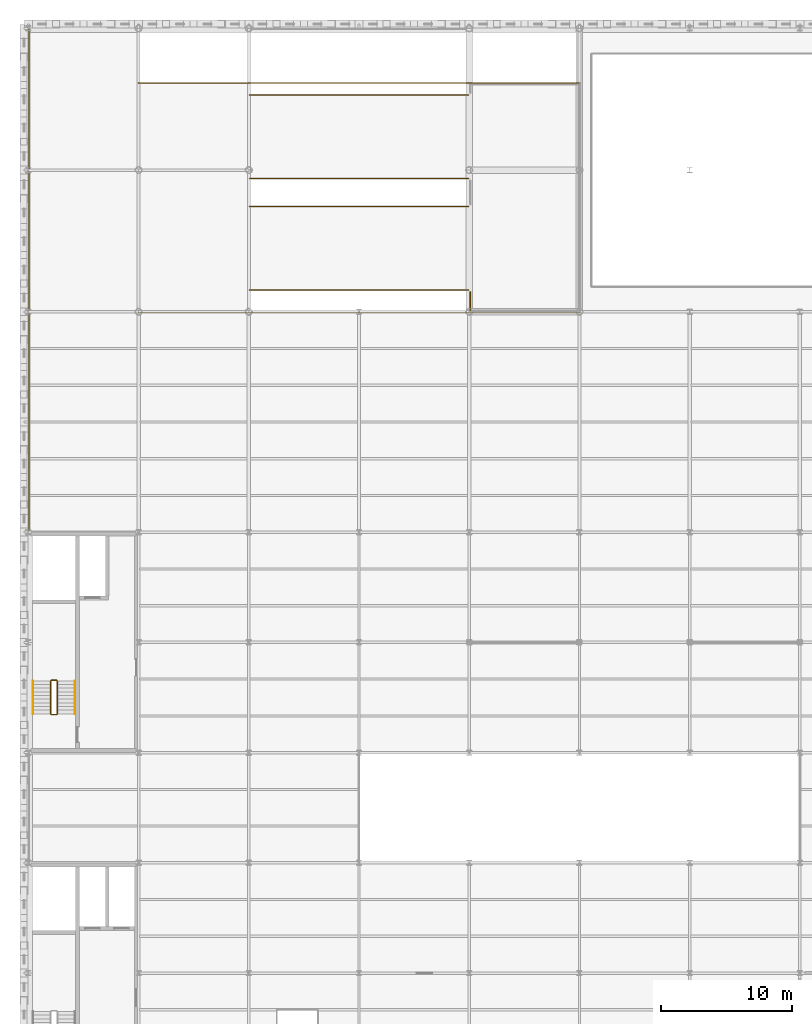
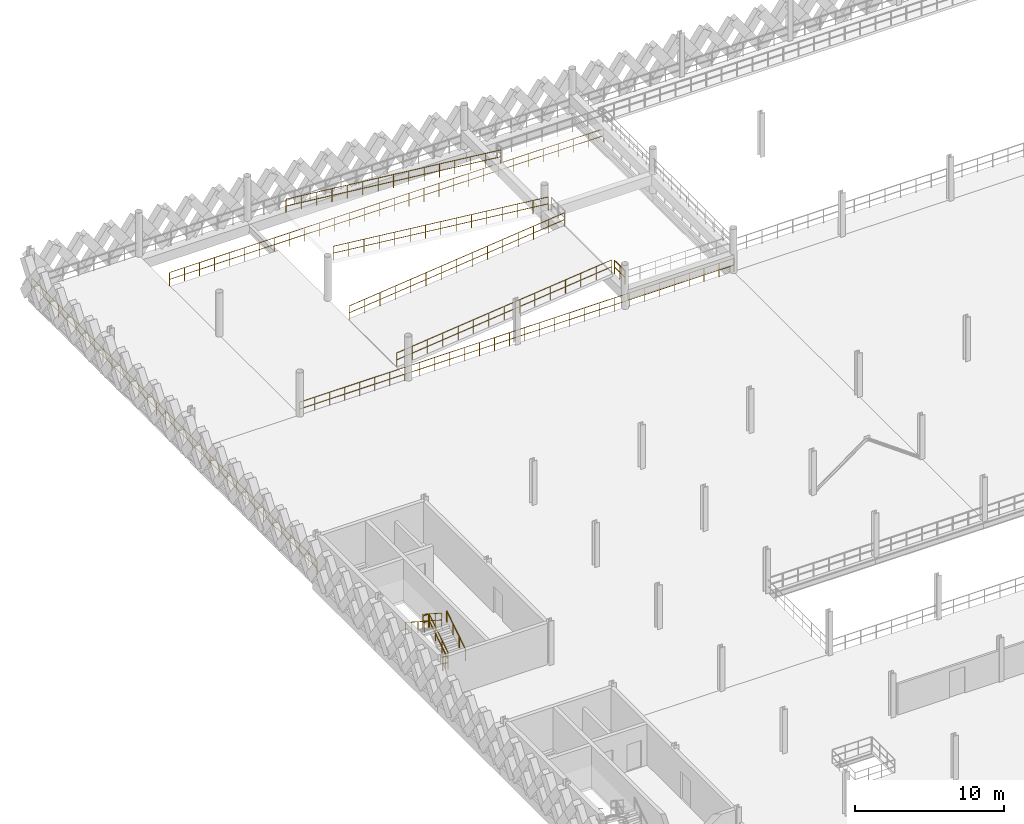
# One storey, part 58 of 62: 14 railings.
"""IFC4 building model written with IfcOpenShell, lengths in metres."""

from ifc_helpers import new_model, si_unit, direction, frame, origin, origin_2d, place, context, subcontext, project, spatial, circle, extrude, material, type_object, element, save


model = new_model("IFC4")

# Units and contexts
model_context = context("Model", 3, precision=1e-05, world=origin(), true_north=direction((0.0, 1.0)))
body_context = subcontext(model_context, "Body", "Model", "MODEL_VIEW")
ifc_project = project(units=[si_unit("LENGTHUNIT", "METRE"), si_unit("AREAUNIT", "SQUARE_METRE"), si_unit("VOLUMEUNIT", "CUBIC_METRE"), si_unit("PLANEANGLEUNIT", "RADIAN"), si_unit("MASSUNIT", "GRAM", prefix="KILO"), si_unit("THERMODYNAMICTEMPERATUREUNIT", "KELVIN"), si_unit("POWERUNIT", "WATT")], contexts=[model_context])

# Site, building, storey
site_placement = place(None, origin())
site = spatial("IfcSite", under=ifc_project, at=site_placement, CompositionType="ELEMENT")
building_placement = place(site_placement, origin())
building = spatial("IfcBuilding", under=site, at=building_placement, Name="Tembeka Court Mobility Hub", CompositionType="ELEMENT")
storey_placement = place(building_placement, frame((0.0, 0.0, 16.199951171875)))
storey = spatial("IfcBuildingStorey", under=building, at=storey_placement, Name="L04", CompositionType="ELEMENT", Elevation=16.199951171875)

# Railings
ifc_material_1 = material(Name="Painted galvanised steel balustrade", Category="steel")
railing_type_1 = type_object("IfcRailingType", Name="RL-GR01", PredefinedType="GUARDRAIL", material=ifc_material_1)
railing_1_placement = place(storey_placement, frame((2.199951171875, 66.550048828125, 0.179931640625)))
element("IfcRailing", 1, at=railing_1_placement, inside=storey, type_object=railing_type_1, Name="L04 ST03 stair guard 1-1", PredefinedType="GUARDRAIL", context=body_context, shape_type="SweptSolid", body=[
    extrude(circle(Radius=0.02392578125, at=origin_2d()), frame((0.0, 0.0, 1.09619140625), z_axis=(0.0, 0.841162588446, 0.540782303519), x_axis=(-1.0, 0.0, 0.0)), (0.0, 0.0, 1.0), 2.995849609375),
    extrude(circle(Radius=0.02392578125, at=origin_2d()), frame((0.0, 0.0, 0.5361328125), z_axis=(0.0, 0.841162588446, 0.540782303519), x_axis=(-1.0, 0.0, 0.0)), (0.0, 0.0, 1.0), 2.995849609375),
    extrude(circle(Radius=0.02099609375, at=origin_2d()), origin(), (0.0, 0.0, 1.0), 1.072021484375),
    extrude(circle(Radius=0.02099609375, at=origin_2d()), frame((0.0, 0.840087890625, 0.5400390625)), (0.0, 0.0, 1.0), 1.072021484375),
    extrude(circle(Radius=0.02099609375, at=origin_2d()), frame((0.0, 1.679931640625, 1.080078125)), (0.0, 0.0, 1.0), 1.072021484375),
    extrude(circle(Radius=0.02099609375, at=origin_2d()), frame((0.0, 2.52001953125, 1.6201171875)), (0.0, 0.0, 1.0), 1.072021484375),
])
railing_2_placement = place(storey_placement, frame((2.14990234375, 69.1201171875, 1.800048828125)))
element("IfcRailing", 2, at=railing_2_placement, inside=storey, type_object=railing_type_1, Name="L04 ST03 stair guard 2-1", PredefinedType="GUARDRAIL", context=body_context, shape_type="SweptSolid", body=[
    extrude(circle(Radius=0.02392578125, at=origin_2d()), frame((0.0, 0.0, 1.09619140625), z_axis=(-1.0, 0.0, 0.0), x_axis=(0.0, -1.0, 0.0)), (0.0, 0.0, 1.0), 0.39990234375),
    extrude(circle(Radius=0.02392578125, at=origin_2d()), frame((0.0, 0.0, 0.5361328125), z_axis=(-1.0, 0.0, 0.0), x_axis=(0.0, -1.0, 0.0)), (0.0, 0.0, 1.0), 0.39990234375),
    extrude(circle(Radius=0.02099609375, at=origin_2d()), origin(), (0.0, 0.0, 1.0), 1.072021484375),
    extrude(circle(Radius=0.02099609375, at=origin_2d()), frame((-0.39990234375, 0.0, 0.0)), (0.0, 0.0, 1.0), 1.072021484375),
])
railing_3_placement = place(storey_placement, frame((1.699951171875, 69.070068359375, 1.97998046875)))
element("IfcRailing", 3, at=railing_3_placement, inside=storey, type_object=railing_type_1, Name="L04 ST03 stair guard 3-1", PredefinedType="GUARDRAIL", context=body_context, shape_type="SweptSolid", body=[
    extrude(circle(Radius=0.02392578125, at=origin_2d()), frame((0.0, 0.0, 1.09619140625), z_axis=(0.0, -0.841162588446, 0.540782303519), x_axis=(1.0, 0.0, 0.0)), (0.0, 0.0, 1.0), 2.995849609375),
    extrude(circle(Radius=0.02392578125, at=origin_2d()), frame((0.0, 0.0, 0.5361328125), z_axis=(0.0, -0.841162588446, 0.540782303519), x_axis=(1.0, 0.0, 0.0)), (0.0, 0.0, 1.0), 2.995849609375),
    extrude(circle(Radius=0.02099609375, at=origin_2d()), origin(), (0.0, 0.0, 1.0), 1.072021484375),
    extrude(circle(Radius=0.02099609375, at=origin_2d()), frame((0.0, -0.840087890625, 0.5400390625)), (0.0, 0.0, 1.0), 1.072021484375),
    extrude(circle(Radius=0.02099609375, at=origin_2d()), frame((0.0, -1.679931640625, 1.080078125)), (0.0, 0.0, 1.0), 1.072021484375),
    extrude(circle(Radius=0.02099609375, at=origin_2d()), frame((0.0, -2.52001953125, 1.6201171875)), (0.0, 0.0, 1.0), 1.072021484375),
])
railing_4_placement = place(storey_placement, frame((2.14990234375, 66.5, 0.0)))
element("IfcRailing", 4, at=railing_4_placement, inside=storey, type_object=railing_type_1, Name="L04 ST03 stair guard 4-1", PredefinedType="GUARDRAIL", context=body_context, shape_type="SweptSolid", body=[
    extrude(circle(Radius=0.02392578125, at=origin_2d()), frame((0.0, 0.0, 1.09619140625), z_axis=(-1.0, 0.0, 0.0), x_axis=(0.0, -1.0, 0.0)), (0.0, 0.0, 1.0), 0.39990234375),
    extrude(circle(Radius=0.02392578125, at=origin_2d()), frame((0.0, 0.0, 0.5361328125), z_axis=(-1.0, 0.0, 0.0), x_axis=(0.0, -1.0, 0.0)), (0.0, 0.0, 1.0), 0.39990234375),
    extrude(circle(Radius=0.02099609375, at=origin_2d()), origin(), (0.0, 0.0, 1.0), 1.072021484375),
    extrude(circle(Radius=0.02099609375, at=origin_2d()), frame((-0.39990234375, 0.0, 0.0)), (0.0, 0.0, 1.0), 1.072021484375),
])
railing_type_2 = type_object("IfcRailingType", Name="RL-GR02", PredefinedType="GUARDRAIL", material=ifc_material_1)
railing_5_placement = place(storey_placement, frame((0.050048828125, 80.429931640625, 0.0)))
element("IfcRailing", 5, at=railing_5_placement, inside=storey, type_object=railing_type_2, Name="Perimeter guard GR02-0151", PredefinedType="GUARDRAIL", context=body_context, shape_type="SweptSolid", body=[
    extrude(circle(Radius=0.02392578125, at=origin_2d()), frame((0.0, 0.0, 1.09619140625), z_axis=(0.0, 1.0, 0.0), x_axis=(-1.0, 0.0, 0.0)), (0.0, 0.0, 1.0), 38.2900390625),
    extrude(circle(Radius=0.02392578125, at=origin_2d()), frame((0.0, 0.0, 0.5361328125), z_axis=(0.0, 1.0, 0.0), x_axis=(-1.0, 0.0, 0.0)), (0.0, 0.0, 1.0), 38.2900390625),
    extrude(circle(Radius=0.02099609375, at=origin_2d()), origin(), (0.0, 0.0, 1.0), 1.072021484375),
    extrude(circle(Radius=0.02099609375, at=origin_2d()), frame((0.0, 1.196533203125, 0.0)), (0.0, 0.0, 1.0), 1.072021484375),
    extrude(circle(Radius=0.02099609375, at=origin_2d()), frame((0.0, 2.39306640625, 0.0)), (0.0, 0.0, 1.0), 1.072021484375),
    extrude(circle(Radius=0.02099609375, at=origin_2d()), frame((0.0, 3.589599609375, 0.0)), (0.0, 0.0, 1.0), 1.072021484375),
    extrude(circle(Radius=0.02099609375, at=origin_2d()), frame((0.0, 4.7861328125, 0.0)), (0.0, 0.0, 1.0), 1.072021484375),
    extrude(circle(Radius=0.02099609375, at=origin_2d()), frame((0.0, 5.98291015625, 0.0)), (0.0, 0.0, 1.0), 1.072021484375),
    extrude(circle(Radius=0.02099609375, at=origin_2d()), frame((0.0, 7.179443359375, 0.0)), (0.0, 0.0, 1.0), 1.072021484375),
    extrude(circle(Radius=0.02099609375, at=origin_2d()), frame((0.0, 8.3759765625, 0.0)), (0.0, 0.0, 1.0), 1.072021484375),
    extrude(circle(Radius=0.02099609375, at=origin_2d()), frame((0.0, 9.572509765625, 0.0)), (0.0, 0.0, 1.0), 1.072021484375),
    extrude(circle(Radius=0.02099609375, at=origin_2d()), frame((0.0, 10.76904296875, 0.0)), (0.0, 0.0, 1.0), 1.072021484375),
    extrude(circle(Radius=0.02099609375, at=origin_2d()), frame((0.0, 11.965576171875, 0.0)), (0.0, 0.0, 1.0), 1.072021484375),
    extrude(circle(Radius=0.02099609375, at=origin_2d()), frame((0.0, 13.162109375, 0.0)), (0.0, 0.0, 1.0), 1.072021484375),
    extrude(circle(Radius=0.02099609375, at=origin_2d()), frame((0.0, 14.35888671875, 0.0)), (0.0, 0.0, 1.0), 1.072021484375),
    extrude(circle(Radius=0.02099609375, at=origin_2d()), frame((0.0, 15.555419921875, 0.0)), (0.0, 0.0, 1.0), 1.072021484375),
    extrude(circle(Radius=0.02099609375, at=origin_2d()), frame((0.0, 16.751953125, 0.0)), (0.0, 0.0, 1.0), 1.072021484375),
    extrude(circle(Radius=0.02099609375, at=origin_2d()), frame((0.0, 17.948486328125, 0.0)), (0.0, 0.0, 1.0), 1.072021484375),
    extrude(circle(Radius=0.02099609375, at=origin_2d()), frame((0.0, 19.14501953125, 0.0)), (0.0, 0.0, 1.0), 1.072021484375),
    extrude(circle(Radius=0.02099609375, at=origin_2d()), frame((0.0, 20.341552734375, 0.0)), (0.0, 0.0, 1.0), 1.072021484375),
    extrude(circle(Radius=0.02099609375, at=origin_2d()), frame((0.0, 21.5380859375, 0.0)), (0.0, 0.0, 1.0), 1.072021484375),
    extrude(circle(Radius=0.02099609375, at=origin_2d()), frame((0.0, 22.734619140625, 0.0)), (0.0, 0.0, 1.0), 1.072021484375),
    extrude(circle(Radius=0.02099609375, at=origin_2d()), frame((0.0, 23.93115234375, 0.0)), (0.0, 0.0, 1.0), 1.072021484375),
    extrude(circle(Radius=0.02099609375, at=origin_2d()), frame((0.0, 25.1279296875, 0.0)), (0.0, 0.0, 1.0), 1.072021484375),
    extrude(circle(Radius=0.02099609375, at=origin_2d()), frame((0.0, 26.324462890625, 0.0)), (0.0, 0.0, 1.0), 1.072021484375),
    extrude(circle(Radius=0.02099609375, at=origin_2d()), frame((0.0, 27.52099609375, 0.0)), (0.0, 0.0, 1.0), 1.072021484375),
    extrude(circle(Radius=0.02099609375, at=origin_2d()), frame((0.0, 28.717529296875, 0.0)), (0.0, 0.0, 1.0), 1.072021484375),
    extrude(circle(Radius=0.02099609375, at=origin_2d()), frame((0.0, 29.9140625, 0.0)), (0.0, 0.0, 1.0), 1.072021484375),
    extrude(circle(Radius=0.02099609375, at=origin_2d()), frame((0.0, 31.110595703125, 0.0)), (0.0, 0.0, 1.0), 1.072021484375),
    extrude(circle(Radius=0.02099609375, at=origin_2d()), frame((0.0, 32.30712890625, 0.0)), (0.0, 0.0, 1.0), 1.072021484375),
    extrude(circle(Radius=0.02099609375, at=origin_2d()), frame((0.0, 33.50390625, 0.0)), (0.0, 0.0, 1.0), 1.072021484375),
    extrude(circle(Radius=0.02099609375, at=origin_2d()), frame((0.0, 34.700439453125, 0.0)), (0.0, 0.0, 1.0), 1.072021484375),
    extrude(circle(Radius=0.02099609375, at=origin_2d()), frame((0.0, 35.89697265625, 0.0)), (0.0, 0.0, 1.0), 1.072021484375),
    extrude(circle(Radius=0.02099609375, at=origin_2d()), frame((0.0, 37.093505859375, 0.0)), (0.0, 0.0, 1.0), 1.072021484375),
    extrude(circle(Radius=0.02099609375, at=origin_2d()), frame((0.0, 38.2900390625, 0.0)), (0.0, 0.0, 1.0), 1.072021484375),
])
railing_6_placement = place(storey_placement, frame((8.3798828125, 97.14990234375, 0.0)))
element("IfcRailing", 6, at=railing_6_placement, inside=storey, type_object=railing_type_2, Name="Perimeter guard GR02-0196", PredefinedType="GUARDRAIL", context=body_context, shape_type="SweptSolid", body=[
    extrude(circle(Radius=0.02392578125, at=origin_2d()), frame((0.0, 0.0, 1.09619140625), z_axis=(1.0, 0.0, 0.0), x_axis=(0.0, 1.0, 0.0)), (0.0, 0.0, 1.0), 33.64013671875),
    extrude(circle(Radius=0.02392578125, at=origin_2d()), frame((0.0, 0.0, 0.5361328125), z_axis=(1.0, 0.0, 0.0), x_axis=(0.0, 1.0, 0.0)), (0.0, 0.0, 1.0), 33.64013671875),
    extrude(circle(Radius=0.02099609375, at=origin_2d()), origin(), (0.0, 0.0, 1.0), 1.072021484375),
    extrude(circle(Radius=0.02099609375, at=origin_2d()), frame((1.159912109375, 0.0, 0.0)), (0.0, 0.0, 1.0), 1.072021484375),
    extrude(circle(Radius=0.02099609375, at=origin_2d()), frame((2.320068359375, 0.0, 0.0)), (0.0, 0.0, 1.0), 1.072021484375),
    extrude(circle(Radius=0.02099609375, at=origin_2d()), frame((3.47998046875, 0.0, 0.0)), (0.0, 0.0, 1.0), 1.072021484375),
    extrude(circle(Radius=0.02099609375, at=origin_2d()), frame((4.64013671875, 0.0, 0.0)), (0.0, 0.0, 1.0), 1.072021484375),
    extrude(circle(Radius=0.02099609375, at=origin_2d()), frame((5.800048828125, 0.0, 0.0)), (0.0, 0.0, 1.0), 1.072021484375),
    extrude(circle(Radius=0.02099609375, at=origin_2d()), frame((6.9599609375, 0.0, 0.0)), (0.0, 0.0, 1.0), 1.072021484375),
    extrude(circle(Radius=0.02099609375, at=origin_2d()), frame((8.1201171875, 0.0, 0.0)), (0.0, 0.0, 1.0), 1.072021484375),
    extrude(circle(Radius=0.02099609375, at=origin_2d()), frame((9.280029296875, 0.0, 0.0)), (0.0, 0.0, 1.0), 1.072021484375),
    extrude(circle(Radius=0.02099609375, at=origin_2d()), frame((10.43994140625, 0.0, 0.0)), (0.0, 0.0, 1.0), 1.072021484375),
    extrude(circle(Radius=0.02099609375, at=origin_2d()), frame((11.60009765625, 0.0, 0.0)), (0.0, 0.0, 1.0), 1.072021484375),
    extrude(circle(Radius=0.02099609375, at=origin_2d()), frame((12.760009765625, 0.0, 0.0)), (0.0, 0.0, 1.0), 1.072021484375),
    extrude(circle(Radius=0.02099609375, at=origin_2d()), frame((13.920166015625, 0.0, 0.0)), (0.0, 0.0, 1.0), 1.072021484375),
    extrude(circle(Radius=0.02099609375, at=origin_2d()), frame((15.080078125, 0.0, 0.0)), (0.0, 0.0, 1.0), 1.072021484375),
    extrude(circle(Radius=0.02099609375, at=origin_2d()), frame((16.239990234375, 0.0, 0.0)), (0.0, 0.0, 1.0), 1.072021484375),
    extrude(circle(Radius=0.02099609375, at=origin_2d()), frame((17.400146484375, 0.0, 0.0)), (0.0, 0.0, 1.0), 1.072021484375),
    extrude(circle(Radius=0.02099609375, at=origin_2d()), frame((18.56005859375, 0.0, 0.0)), (0.0, 0.0, 1.0), 1.072021484375),
    extrude(circle(Radius=0.02099609375, at=origin_2d()), frame((19.719970703125, 0.0, 0.0)), (0.0, 0.0, 1.0), 1.072021484375),
    extrude(circle(Radius=0.02099609375, at=origin_2d()), frame((20.880126953125, 0.0, 0.0)), (0.0, 0.0, 1.0), 1.072021484375),
    extrude(circle(Radius=0.02099609375, at=origin_2d()), frame((22.0400390625, 0.0, 0.0)), (0.0, 0.0, 1.0), 1.072021484375),
    extrude(circle(Radius=0.02099609375, at=origin_2d()), frame((23.2001953125, 0.0, 0.0)), (0.0, 0.0, 1.0), 1.072021484375),
    extrude(circle(Radius=0.02099609375, at=origin_2d()), frame((24.360107421875, 0.0, 0.0)), (0.0, 0.0, 1.0), 1.072021484375),
    extrude(circle(Radius=0.02099609375, at=origin_2d()), frame((25.52001953125, 0.0, 0.0)), (0.0, 0.0, 1.0), 1.072021484375),
    extrude(circle(Radius=0.02099609375, at=origin_2d()), frame((26.68017578125, 0.0, 0.0)), (0.0, 0.0, 1.0), 1.072021484375),
    extrude(circle(Radius=0.02099609375, at=origin_2d()), frame((27.840087890625, 0.0, 0.0)), (0.0, 0.0, 1.0), 1.072021484375),
    extrude(circle(Radius=0.02099609375, at=origin_2d()), frame((29.0, 0.0, 0.0)), (0.0, 0.0, 1.0), 1.072021484375),
    extrude(circle(Radius=0.02099609375, at=origin_2d()), frame((30.16015625, 0.0, 0.0)), (0.0, 0.0, 1.0), 1.072021484375),
    extrude(circle(Radius=0.02099609375, at=origin_2d()), frame((31.320068359375, 0.0, 0.0)), (0.0, 0.0, 1.0), 1.072021484375),
    extrude(circle(Radius=0.02099609375, at=origin_2d()), frame((32.480224609375, 0.0, 0.0)), (0.0, 0.0, 1.0), 1.072021484375),
    extrude(circle(Radius=0.02099609375, at=origin_2d()), frame((33.64013671875, 0.0, 0.0)), (0.0, 0.0, 1.0), 1.072021484375),
])
railing_7_placement = place(storey_placement, frame((8.3798828125, 114.64990234375, 0.0)))
element("IfcRailing", 7, at=railing_7_placement, inside=storey, type_object=railing_type_2, Name="Perimeter guard GR02-0197", PredefinedType="GUARDRAIL", context=body_context, shape_type="SweptSolid", body=[
    extrude(circle(Radius=0.02392578125, at=origin_2d()), frame((0.0, 0.0, 1.09619140625), z_axis=(1.0, 0.0, 0.0), x_axis=(0.0, 1.0, 0.0)), (0.0, 0.0, 1.0), 33.64013671875),
    extrude(circle(Radius=0.02392578125, at=origin_2d()), frame((0.0, 0.0, 0.5361328125), z_axis=(1.0, 0.0, 0.0), x_axis=(0.0, 1.0, 0.0)), (0.0, 0.0, 1.0), 33.64013671875),
    extrude(circle(Radius=0.02099609375, at=origin_2d()), origin(), (0.0, 0.0, 1.0), 1.072021484375),
    extrude(circle(Radius=0.02099609375, at=origin_2d()), frame((1.159912109375, 0.0, 0.0)), (0.0, 0.0, 1.0), 1.072021484375),
    extrude(circle(Radius=0.02099609375, at=origin_2d()), frame((2.320068359375, 0.0, 0.0)), (0.0, 0.0, 1.0), 1.072021484375),
    extrude(circle(Radius=0.02099609375, at=origin_2d()), frame((3.47998046875, 0.0, 0.0)), (0.0, 0.0, 1.0), 1.072021484375),
    extrude(circle(Radius=0.02099609375, at=origin_2d()), frame((4.64013671875, 0.0, 0.0)), (0.0, 0.0, 1.0), 1.072021484375),
    extrude(circle(Radius=0.02099609375, at=origin_2d()), frame((5.800048828125, 0.0, 0.0)), (0.0, 0.0, 1.0), 1.072021484375),
    extrude(circle(Radius=0.02099609375, at=origin_2d()), frame((6.9599609375, 0.0, 0.0)), (0.0, 0.0, 1.0), 1.072021484375),
    extrude(circle(Radius=0.02099609375, at=origin_2d()), frame((8.1201171875, 0.0, 0.0)), (0.0, 0.0, 1.0), 1.072021484375),
    extrude(circle(Radius=0.02099609375, at=origin_2d()), frame((9.280029296875, 0.0, 0.0)), (0.0, 0.0, 1.0), 1.072021484375),
    extrude(circle(Radius=0.02099609375, at=origin_2d()), frame((10.43994140625, 0.0, 0.0)), (0.0, 0.0, 1.0), 1.072021484375),
    extrude(circle(Radius=0.02099609375, at=origin_2d()), frame((11.60009765625, 0.0, 0.0)), (0.0, 0.0, 1.0), 1.072021484375),
    extrude(circle(Radius=0.02099609375, at=origin_2d()), frame((12.760009765625, 0.0, 0.0)), (0.0, 0.0, 1.0), 1.072021484375),
    extrude(circle(Radius=0.02099609375, at=origin_2d()), frame((13.920166015625, 0.0, 0.0)), (0.0, 0.0, 1.0), 1.072021484375),
    extrude(circle(Radius=0.02099609375, at=origin_2d()), frame((15.080078125, 0.0, 0.0)), (0.0, 0.0, 1.0), 1.072021484375),
    extrude(circle(Radius=0.02099609375, at=origin_2d()), frame((16.239990234375, 0.0, 0.0)), (0.0, 0.0, 1.0), 1.072021484375),
    extrude(circle(Radius=0.02099609375, at=origin_2d()), frame((17.400146484375, 0.0, 0.0)), (0.0, 0.0, 1.0), 1.072021484375),
    extrude(circle(Radius=0.02099609375, at=origin_2d()), frame((18.56005859375, 0.0, 0.0)), (0.0, 0.0, 1.0), 1.072021484375),
    extrude(circle(Radius=0.02099609375, at=origin_2d()), frame((19.719970703125, 0.0, 0.0)), (0.0, 0.0, 1.0), 1.072021484375),
    extrude(circle(Radius=0.02099609375, at=origin_2d()), frame((20.880126953125, 0.0, 0.0)), (0.0, 0.0, 1.0), 1.072021484375),
    extrude(circle(Radius=0.02099609375, at=origin_2d()), frame((22.0400390625, 0.0, 0.0)), (0.0, 0.0, 1.0), 1.072021484375),
    extrude(circle(Radius=0.02099609375, at=origin_2d()), frame((23.2001953125, 0.0, 0.0)), (0.0, 0.0, 1.0), 1.072021484375),
    extrude(circle(Radius=0.02099609375, at=origin_2d()), frame((24.360107421875, 0.0, 0.0)), (0.0, 0.0, 1.0), 1.072021484375),
    extrude(circle(Radius=0.02099609375, at=origin_2d()), frame((25.52001953125, 0.0, 0.0)), (0.0, 0.0, 1.0), 1.072021484375),
    extrude(circle(Radius=0.02099609375, at=origin_2d()), frame((26.68017578125, 0.0, 0.0)), (0.0, 0.0, 1.0), 1.072021484375),
    extrude(circle(Radius=0.02099609375, at=origin_2d()), frame((27.840087890625, 0.0, 0.0)), (0.0, 0.0, 1.0), 1.072021484375),
    extrude(circle(Radius=0.02099609375, at=origin_2d()), frame((29.0, 0.0, 0.0)), (0.0, 0.0, 1.0), 1.072021484375),
    extrude(circle(Radius=0.02099609375, at=origin_2d()), frame((30.16015625, 0.0, 0.0)), (0.0, 0.0, 1.0), 1.072021484375),
    extrude(circle(Radius=0.02099609375, at=origin_2d()), frame((31.320068359375, 0.0, 0.0)), (0.0, 0.0, 1.0), 1.072021484375),
    extrude(circle(Radius=0.02099609375, at=origin_2d()), frame((32.480224609375, 0.0, 0.0)), (0.0, 0.0, 1.0), 1.072021484375),
    extrude(circle(Radius=0.02099609375, at=origin_2d()), frame((33.64013671875, 0.0, 0.0)), (0.0, 0.0, 1.0), 1.072021484375),
])
railing_8_placement = place(storey_placement, frame((16.869873046875, 98.8701171875, 0.003173828125)))
element("IfcRailing", 8, at=railing_8_placement, inside=storey, type_object=railing_type_2, Name="Perimeter guard GR02-0252", PredefinedType="GUARDRAIL", context=body_context, shape_type="SweptSolid", body=[
    extrude(circle(Radius=0.02392578125, at=origin_2d()), frame((0.0, 0.0, 1.09619140625), z_axis=(0.994254289674, 0.0, 0.107043951089), x_axis=(0.0, 1.0, 0.0)), (0.0, 0.0, 1.0), 16.756591796875),
    extrude(circle(Radius=0.02392578125, at=origin_2d()), frame((0.0, 0.0, 0.5361328125), z_axis=(0.994254289674, 0.0, 0.107043951089), x_axis=(0.0, 1.0, 0.0)), (0.0, 0.0, 1.0), 16.756591796875),
    extrude(circle(Radius=0.02099609375, at=origin_2d()), origin(), (0.0, 0.0, 1.0), 1.072021484375),
    extrude(circle(Radius=0.02099609375, at=origin_2d()), frame((1.18994140625, 0.0, 0.128173828125)), (0.0, 0.0, 1.0), 1.072021484375),
    extrude(circle(Radius=0.02099609375, at=origin_2d()), frame((2.380126953125, 0.0, 0.25634765625)), (0.0, 0.0, 1.0), 1.072021484375),
    extrude(circle(Radius=0.02099609375, at=origin_2d()), frame((3.570068359375, 0.0, 0.38427734375)), (0.0, 0.0, 1.0), 1.072021484375),
    extrude(circle(Radius=0.02099609375, at=origin_2d()), frame((4.760009765625, 0.0, 0.512451171875)), (0.0, 0.0, 1.0), 1.072021484375),
    extrude(circle(Radius=0.02099609375, at=origin_2d()), frame((5.9501953125, 0.0, 0.640625)), (0.0, 0.0, 1.0), 1.072021484375),
    extrude(circle(Radius=0.02099609375, at=origin_2d()), frame((7.14013671875, 0.0, 0.768798828125)), (0.0, 0.0, 1.0), 1.072021484375),
    extrude(circle(Radius=0.02099609375, at=origin_2d()), frame((8.330078125, 0.0, 0.89697265625)), (0.0, 0.0, 1.0), 1.072021484375),
    extrude(circle(Radius=0.02099609375, at=origin_2d()), frame((9.520263671875, 0.0, 1.02490234375)), (0.0, 0.0, 1.0), 1.072021484375),
    extrude(circle(Radius=0.02099609375, at=origin_2d()), frame((10.710205078125, 0.0, 1.153076171875)), (0.0, 0.0, 1.0), 1.072021484375),
    extrude(circle(Radius=0.02099609375, at=origin_2d()), frame((11.900390625, 0.0, 1.28125)), (0.0, 0.0, 1.0), 1.072021484375),
    extrude(circle(Radius=0.02099609375, at=origin_2d()), frame((13.09033203125, 0.0, 1.409423828125)), (0.0, 0.0, 1.0), 1.072021484375),
    extrude(circle(Radius=0.02099609375, at=origin_2d()), frame((14.2802734375, 0.0, 1.537353515625)), (0.0, 0.0, 1.0), 1.072021484375),
    extrude(circle(Radius=0.02099609375, at=origin_2d()), frame((15.470458984375, 0.0, 1.66552734375)), (0.0, 0.0, 1.0), 1.072021484375),
    extrude(circle(Radius=0.02099609375, at=origin_2d()), frame((16.660400390625, 0.0, 1.793701171875)), (0.0, 0.0, 1.0), 1.072021484375),
])
railing_9_placement = place(storey_placement, frame((33.5302734375, 107.3701171875, 1.80322265625)))
element("IfcRailing", 9, at=railing_9_placement, inside=storey, type_object=railing_type_2, Name="Perimeter guard GR02-0253", PredefinedType="GUARDRAIL", context=body_context, shape_type="SweptSolid", body=[
    extrude(circle(Radius=0.02392578125, at=origin_2d()), frame((0.0, 0.0, 1.09619140625), z_axis=(-0.994254289674, 0.0, 0.107043951089), x_axis=(0.0, -1.0, 0.0)), (0.0, 0.0, 1.0), 16.756591796875),
    extrude(circle(Radius=0.02392578125, at=origin_2d()), frame((0.0, 0.0, 0.5361328125), z_axis=(-0.994254289674, 0.0, 0.107043951089), x_axis=(0.0, -1.0, 0.0)), (0.0, 0.0, 1.0), 16.756591796875),
    extrude(circle(Radius=0.02099609375, at=origin_2d()), origin(), (0.0, 0.0, 1.0), 1.072021484375),
    extrude(circle(Radius=0.02099609375, at=origin_2d()), frame((-1.18994140625, 0.0, 0.128173828125)), (0.0, 0.0, 1.0), 1.072021484375),
    extrude(circle(Radius=0.02099609375, at=origin_2d()), frame((-2.380126953125, 0.0, 0.25634765625)), (0.0, 0.0, 1.0), 1.072021484375),
    extrude(circle(Radius=0.02099609375, at=origin_2d()), frame((-3.570068359375, 0.0, 0.38427734375)), (0.0, 0.0, 1.0), 1.072021484375),
    extrude(circle(Radius=0.02099609375, at=origin_2d()), frame((-4.760009765625, 0.0, 0.512451171875)), (0.0, 0.0, 1.0), 1.072021484375),
    extrude(circle(Radius=0.02099609375, at=origin_2d()), frame((-5.9501953125, 0.0, 0.640625)), (0.0, 0.0, 1.0), 1.072021484375),
    extrude(circle(Radius=0.02099609375, at=origin_2d()), frame((-7.14013671875, 0.0, 0.768798828125)), (0.0, 0.0, 1.0), 1.072021484375),
    extrude(circle(Radius=0.02099609375, at=origin_2d()), frame((-8.330078125, 0.0, 0.89697265625)), (0.0, 0.0, 1.0), 1.072021484375),
    extrude(circle(Radius=0.02099609375, at=origin_2d()), frame((-9.520263671875, 0.0, 1.02490234375)), (0.0, 0.0, 1.0), 1.072021484375),
    extrude(circle(Radius=0.02099609375, at=origin_2d()), frame((-10.710205078125, 0.0, 1.153076171875)), (0.0, 0.0, 1.0), 1.072021484375),
    extrude(circle(Radius=0.02099609375, at=origin_2d()), frame((-11.900390625, 0.0, 1.28125)), (0.0, 0.0, 1.0), 1.072021484375),
    extrude(circle(Radius=0.02099609375, at=origin_2d()), frame((-13.09033203125, 0.0, 1.409423828125)), (0.0, 0.0, 1.0), 1.072021484375),
    extrude(circle(Radius=0.02099609375, at=origin_2d()), frame((-14.2802734375, 0.0, 1.537353515625)), (0.0, 0.0, 1.0), 1.072021484375),
    extrude(circle(Radius=0.02099609375, at=origin_2d()), frame((-15.470458984375, 0.0, 1.66552734375)), (0.0, 0.0, 1.0), 1.072021484375),
    extrude(circle(Radius=0.02099609375, at=origin_2d()), frame((-16.660400390625, 0.0, 1.793701171875)), (0.0, 0.0, 1.0), 1.072021484375),
])
railing_10_placement = place(storey_placement, frame((16.869873046875, 105.22998046875, 0.003173828125)))
element("IfcRailing", 10, at=railing_10_placement, inside=storey, type_object=railing_type_2, Name="Perimeter guard GR02-0254", PredefinedType="GUARDRAIL", context=body_context, shape_type="SweptSolid", body=[
    extrude(circle(Radius=0.02392578125, at=origin_2d()), frame((0.0, 0.0, 1.09619140625), z_axis=(0.994254289674, 0.0, 0.107043951089), x_axis=(0.0, 1.0, 0.0)), (0.0, 0.0, 1.0), 16.756591796875),
    extrude(circle(Radius=0.02392578125, at=origin_2d()), frame((0.0, 0.0, 0.5361328125), z_axis=(0.994254289674, 0.0, 0.107043951089), x_axis=(0.0, 1.0, 0.0)), (0.0, 0.0, 1.0), 16.756591796875),
    extrude(circle(Radius=0.02099609375, at=origin_2d()), origin(), (0.0, 0.0, 1.0), 1.072021484375),
    extrude(circle(Radius=0.02099609375, at=origin_2d()), frame((1.18994140625, 0.0, 0.128173828125)), (0.0, 0.0, 1.0), 1.072021484375),
    extrude(circle(Radius=0.02099609375, at=origin_2d()), frame((2.380126953125, 0.0, 0.25634765625)), (0.0, 0.0, 1.0), 1.072021484375),
    extrude(circle(Radius=0.02099609375, at=origin_2d()), frame((3.570068359375, 0.0, 0.38427734375)), (0.0, 0.0, 1.0), 1.072021484375),
    extrude(circle(Radius=0.02099609375, at=origin_2d()), frame((4.760009765625, 0.0, 0.512451171875)), (0.0, 0.0, 1.0), 1.072021484375),
    extrude(circle(Radius=0.02099609375, at=origin_2d()), frame((5.9501953125, 0.0, 0.640625)), (0.0, 0.0, 1.0), 1.072021484375),
    extrude(circle(Radius=0.02099609375, at=origin_2d()), frame((7.14013671875, 0.0, 0.768798828125)), (0.0, 0.0, 1.0), 1.072021484375),
    extrude(circle(Radius=0.02099609375, at=origin_2d()), frame((8.330078125, 0.0, 0.89697265625)), (0.0, 0.0, 1.0), 1.072021484375),
    extrude(circle(Radius=0.02099609375, at=origin_2d()), frame((9.520263671875, 0.0, 1.02490234375)), (0.0, 0.0, 1.0), 1.072021484375),
    extrude(circle(Radius=0.02099609375, at=origin_2d()), frame((10.710205078125, 0.0, 1.153076171875)), (0.0, 0.0, 1.0), 1.072021484375),
    extrude(circle(Radius=0.02099609375, at=origin_2d()), frame((11.900390625, 0.0, 1.28125)), (0.0, 0.0, 1.0), 1.072021484375),
    extrude(circle(Radius=0.02099609375, at=origin_2d()), frame((13.09033203125, 0.0, 1.409423828125)), (0.0, 0.0, 1.0), 1.072021484375),
    extrude(circle(Radius=0.02099609375, at=origin_2d()), frame((14.2802734375, 0.0, 1.537353515625)), (0.0, 0.0, 1.0), 1.072021484375),
    extrude(circle(Radius=0.02099609375, at=origin_2d()), frame((15.470458984375, 0.0, 1.66552734375)), (0.0, 0.0, 1.0), 1.072021484375),
    extrude(circle(Radius=0.02099609375, at=origin_2d()), frame((16.660400390625, 0.0, 1.793701171875)), (0.0, 0.0, 1.0), 1.072021484375),
])
railing_11_placement = place(storey_placement, frame((33.5302734375, 113.72998046875, 1.80322265625)))
element("IfcRailing", 11, at=railing_11_placement, inside=storey, type_object=railing_type_2, Name="Perimeter guard GR02-0255", PredefinedType="GUARDRAIL", context=body_context, shape_type="SweptSolid", body=[
    extrude(circle(Radius=0.02392578125, at=origin_2d()), frame((0.0, 0.0, 1.09619140625), z_axis=(-0.994254289674, 0.0, 0.107043951089), x_axis=(0.0, -1.0, 0.0)), (0.0, 0.0, 1.0), 16.756591796875),
    extrude(circle(Radius=0.02392578125, at=origin_2d()), frame((0.0, 0.0, 0.5361328125), z_axis=(-0.994254289674, 0.0, 0.107043951089), x_axis=(0.0, -1.0, 0.0)), (0.0, 0.0, 1.0), 16.756591796875),
    extrude(circle(Radius=0.02099609375, at=origin_2d()), origin(), (0.0, 0.0, 1.0), 1.072021484375),
    extrude(circle(Radius=0.02099609375, at=origin_2d()), frame((-1.18994140625, 0.0, 0.128173828125)), (0.0, 0.0, 1.0), 1.072021484375),
    extrude(circle(Radius=0.02099609375, at=origin_2d()), frame((-2.380126953125, 0.0, 0.25634765625)), (0.0, 0.0, 1.0), 1.072021484375),
    extrude(circle(Radius=0.02099609375, at=origin_2d()), frame((-3.570068359375, 0.0, 0.38427734375)), (0.0, 0.0, 1.0), 1.072021484375),
    extrude(circle(Radius=0.02099609375, at=origin_2d()), frame((-4.760009765625, 0.0, 0.512451171875)), (0.0, 0.0, 1.0), 1.072021484375),
    extrude(circle(Radius=0.02099609375, at=origin_2d()), frame((-5.9501953125, 0.0, 0.640625)), (0.0, 0.0, 1.0), 1.072021484375),
    extrude(circle(Radius=0.02099609375, at=origin_2d()), frame((-7.14013671875, 0.0, 0.768798828125)), (0.0, 0.0, 1.0), 1.072021484375),
    extrude(circle(Radius=0.02099609375, at=origin_2d()), frame((-8.330078125, 0.0, 0.89697265625)), (0.0, 0.0, 1.0), 1.072021484375),
    extrude(circle(Radius=0.02099609375, at=origin_2d()), frame((-9.520263671875, 0.0, 1.02490234375)), (0.0, 0.0, 1.0), 1.072021484375),
    extrude(circle(Radius=0.02099609375, at=origin_2d()), frame((-10.710205078125, 0.0, 1.153076171875)), (0.0, 0.0, 1.0), 1.072021484375),
    extrude(circle(Radius=0.02099609375, at=origin_2d()), frame((-11.900390625, 0.0, 1.28125)), (0.0, 0.0, 1.0), 1.072021484375),
    extrude(circle(Radius=0.02099609375, at=origin_2d()), frame((-13.09033203125, 0.0, 1.409423828125)), (0.0, 0.0, 1.0), 1.072021484375),
    extrude(circle(Radius=0.02099609375, at=origin_2d()), frame((-14.2802734375, 0.0, 1.537353515625)), (0.0, 0.0, 1.0), 1.072021484375),
    extrude(circle(Radius=0.02099609375, at=origin_2d()), frame((-15.470458984375, 0.0, 1.66552734375)), (0.0, 0.0, 1.0), 1.072021484375),
    extrude(circle(Radius=0.02099609375, at=origin_2d()), frame((-16.660400390625, 0.0, 1.793701171875)), (0.0, 0.0, 1.0), 1.072021484375),
])
railing_12_placement = place(storey_placement, frame((33.679931640625, 97.31005859375, 1.800048828125)))
element("IfcRailing", 12, at=railing_12_placement, inside=storey, type_object=railing_type_2, Name="Perimeter guard GR02-0259", PredefinedType="GUARDRAIL", context=body_context, shape_type="SweptSolid", body=[
    extrude(circle(Radius=0.02392578125, at=origin_2d()), frame((0.0, 0.0, 1.09619140625), z_axis=(0.0, 1.0, 0.0), x_axis=(-1.0, 0.0, 0.0)), (0.0, 0.0, 1.0), 1.409912109375),
    extrude(circle(Radius=0.02392578125, at=origin_2d()), frame((0.0, 0.0, 0.5361328125), z_axis=(0.0, 1.0, 0.0), x_axis=(-1.0, 0.0, 0.0)), (0.0, 0.0, 1.0), 1.409912109375),
    extrude(circle(Radius=0.02099609375, at=origin_2d()), origin(), (0.0, 0.0, 1.0), 1.072021484375),
    extrude(circle(Radius=0.02099609375, at=origin_2d()), frame((0.0, 0.705078125, 0.0)), (0.0, 0.0, 1.0), 1.072021484375),
    extrude(circle(Radius=0.02099609375, at=origin_2d()), frame((0.0, 1.409912109375, 0.0)), (0.0, 0.0, 1.0), 1.072021484375),
])
ifc_material_2 = material(Name="Brushed stainless steel handrail", Category="steel")
railing_type_3 = type_object("IfcRailingType", Name="RL-HR01", PredefinedType="HANDRAIL", material=ifc_material_2)
railing_13_placement = place(storey_placement, frame((3.550048828125, 66.550048828125, 0.179931640625)))
element("IfcRailing", 13, at=railing_13_placement, inside=storey, type_object=railing_type_3, Name="L04 ST03 handrail 1-1", PredefinedType="HANDRAIL", context=body_context, shape_type="SweptSolid", body=[
    extrude(circle(Radius=0.02392578125, at=origin_2d()), frame((0.0, 0.0, 0.89599609375), z_axis=(0.0, 0.841162588446, 0.540782303519), x_axis=(-1.0, 0.0, 0.0)), (0.0, 0.0, 1.0), 2.995849609375),
    extrude(circle(Radius=0.02099609375, at=origin_2d()), origin(), (0.0, 0.0, 1.0), 0.871826171875),
    extrude(circle(Radius=0.02099609375, at=origin_2d()), frame((0.0, 0.840087890625, 0.5400390625)), (0.0, 0.0, 1.0), 0.871826171875),
    extrude(circle(Radius=0.02099609375, at=origin_2d()), frame((0.0, 1.679931640625, 1.080078125)), (0.0, 0.0, 1.0), 0.871826171875),
    extrude(circle(Radius=0.02099609375, at=origin_2d()), frame((0.0, 2.52001953125, 1.6201171875)), (0.0, 0.0, 1.0), 0.871826171875),
])
railing_14_placement = place(storey_placement, frame((0.35009765625, 69.070068359375, 1.97998046875)))
element("IfcRailing", 14, at=railing_14_placement, inside=storey, type_object=railing_type_3, Name="L04 ST03 handrail 2-1", PredefinedType="HANDRAIL", context=body_context, shape_type="SweptSolid", body=[
    extrude(circle(Radius=0.02392578125, at=origin_2d()), frame((0.0, 0.0, 0.89599609375), z_axis=(0.0, -0.841162588446, 0.540782303519), x_axis=(1.0, 0.0, 0.0)), (0.0, 0.0, 1.0), 2.995849609375),
    extrude(circle(Radius=0.02099609375, at=origin_2d()), origin(), (0.0, 0.0, 1.0), 0.871826171875),
    extrude(circle(Radius=0.02099609375, at=origin_2d()), frame((0.0, -0.840087890625, 0.5400390625)), (0.0, 0.0, 1.0), 0.871826171875),
    extrude(circle(Radius=0.02099609375, at=origin_2d()), frame((0.0, -1.679931640625, 1.080078125)), (0.0, 0.0, 1.0), 0.871826171875),
    extrude(circle(Radius=0.02099609375, at=origin_2d()), frame((0.0, -2.52001953125, 1.6201171875)), (0.0, 0.0, 1.0), 0.871826171875),
])

save(model, "model.ifc")
